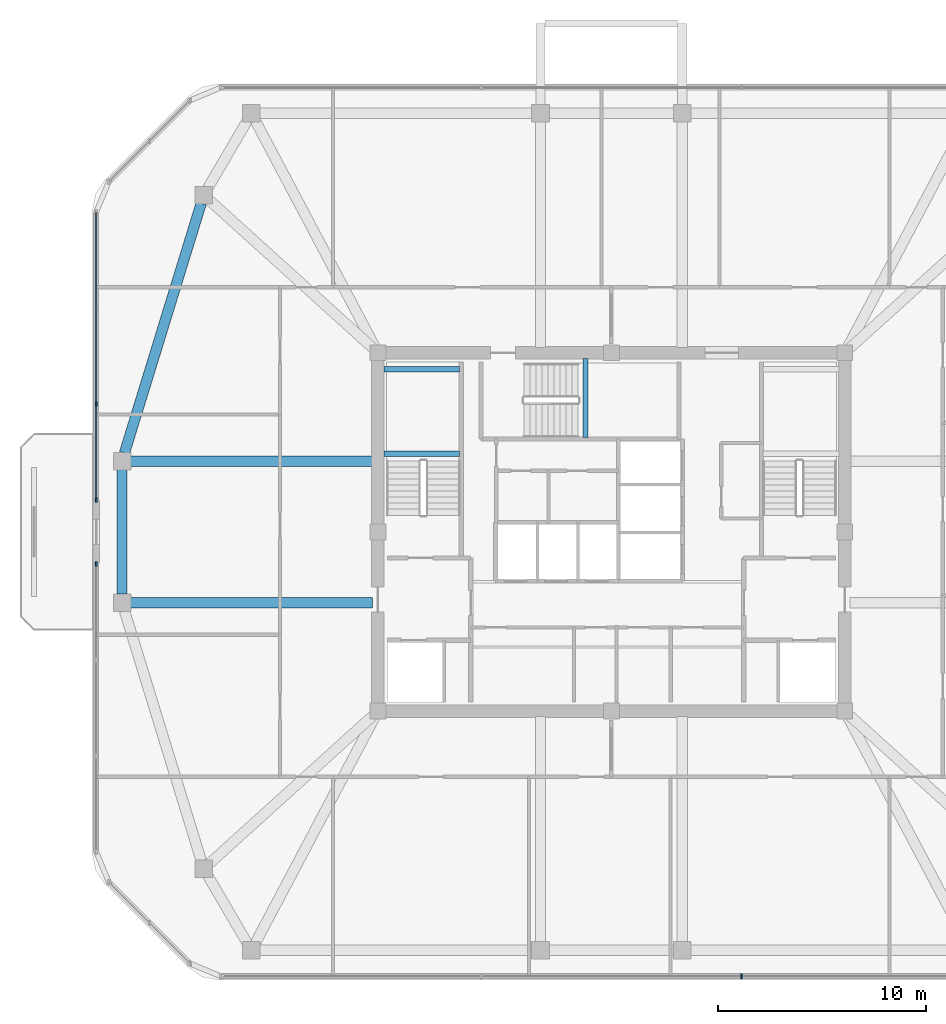
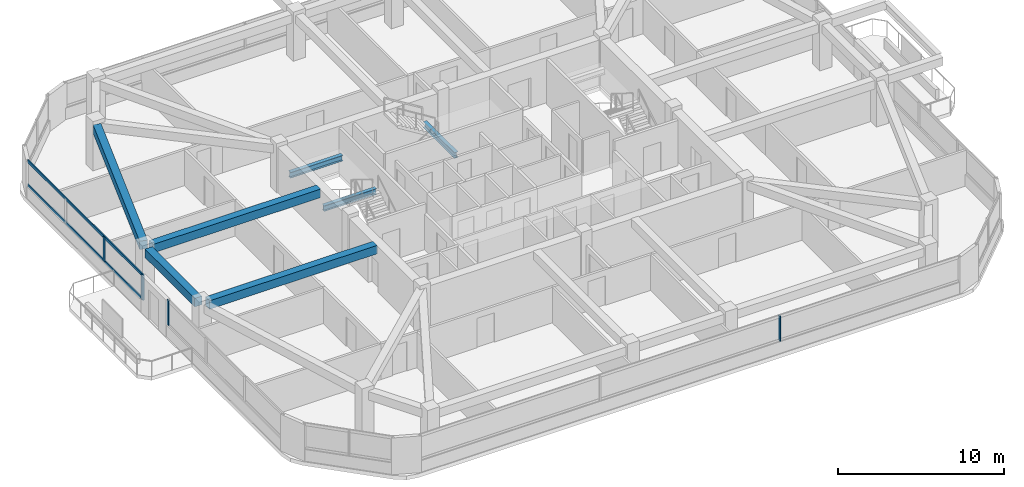
# One storey, part 4 of 14: 7 beams, 6 members, 3 elements without a shape of their own.
"""IFC4 building model written with IfcOpenShell, lengths in metres."""

from ifc_helpers import new_model, si_unit, derived_unit, direction, frame, origin, origin_2d, place, context, subcontext, project, spatial, rectangle, i_section, extrude, material, material_profile, profile_set, type_object, element, aggregate, save


model = new_model("IFC4")

# Units and contexts
model_context = context("Model", 3, precision=1e-05, world=origin(), true_north=direction((0.0, 1.0)))
body_context = subcontext(model_context, "Body", "Model", "MODEL_VIEW")
ifc_project = project(units=[si_unit("LENGTHUNIT", "METRE"), si_unit("AREAUNIT", "SQUARE_METRE"), si_unit("VOLUMEUNIT", "CUBIC_METRE"), si_unit("PLANEANGLEUNIT", "RADIAN"), si_unit("MASSUNIT", "GRAM", prefix="KILO"), derived_unit("THERMALTRANSMITTANCEUNIT", [(si_unit("POWERUNIT", "WATT"), 1), (si_unit("LENGTHUNIT", "METRE"), -2), (si_unit("THERMODYNAMICTEMPERATUREUNIT", "KELVIN"), -1)])], contexts=[model_context])

# Site, building, storey
site_placement = place(None, origin())
site = spatial("IfcSite", under=ifc_project, at=site_placement, CompositionType="ELEMENT")
building_placement = place(site_placement, origin())
building = spatial("IfcBuilding", under=site, at=building_placement, Name="Koralith Skygarden Medical Center", CompositionType="ELEMENT")
storey_placement = place(building_placement, frame((0.0, 0.0, 257.219970703125)))
storey = spatial("IfcBuildingStorey", under=building, at=storey_placement, Name="L66", CompositionType="ELEMENT", Elevation=257.219970703125)

# Curtain wall, member
ifc_material_1 = material(Name="Clear Laminated Glass", Category="glass")
curtain_wall_type = type_object("IfcCurtainWallType", Name="CW-6 Zone 5 Upper Clinical Curtain Wall", PredefinedType="NOTDEFINED", material=ifc_material_1)
curtain_wall_1_placement = place(storey_placement, origin())
curtain_wall_1 = element("IfcCurtainWall", 1, at=curtain_wall_1_placement, inside=storey, type_object=curtain_wall_type, Name="Curtain Wall CW-L66-S", PredefinedType="NOTDEFINED")
ifc_material_2 = material(Name="Aluminium 6063-T6", Category="aluminium")
ifc_material_profile_1 = material_profile(ifc_material_2, rectangle(XDim=0.0830078125, YDim=0.219970703125, at=origin_2d()), Name="MUL83X220")
ifc_profile_set_1 = profile_set([ifc_material_profile_1], Name="Aluminium 6063-T6")
member_type_1 = type_object("IfcMemberType", Name="CW-6 Extruded Mullion 83x220", PredefinedType="MULLION", material=ifc_profile_set_1)
member_1_placement = place(storey_placement, frame((43.248046875, 4.580078125, 0.85009765625), z_axis=(0.0, 0.0, 1.0), x_axis=(1.0, 0.0, 0.0)))
member_1 = element("IfcMember", 2, at=member_1_placement, type_object=member_type_1, Name="CW-L66-S Mullion 3", PredefinedType="MULLION", context=body_context, shape_type="SweptSolid", body=[
    extrude(rectangle(XDim=0.0830078125, YDim=0.219970703125, at=origin_2d()), origin(), (0.0, 0.0, 1.0), 1.83984375),
])
aggregate(curtain_wall_1, [member_1])

# Curtain wall, members
curtain_wall_2_placement = place(storey_placement, origin())
curtain_wall_2 = element("IfcCurtainWall", 3, at=curtain_wall_2_placement, inside=storey, type_object=curtain_wall_type, Name="Curtain Wall CW-L66-W-L", PredefinedType="NOTDEFINED")
member_2_placement = place(storey_placement, frame((12.280029296875, 32.0419921875, 0.85009765625), z_axis=(0.0, 0.0, 1.0), x_axis=(1.0, 0.0, 0.0)))
member_2 = element("IfcMember", 4, at=member_2_placement, type_object=member_type_1, Name="CW-L66-W-L Mullion 3", PredefinedType="MULLION", context=body_context, shape_type="SweptSolid", body=[
    extrude(rectangle(XDim=0.0830078125, YDim=0.219970703125, at=origin_2d()), origin(), (0.0, 0.0, 1.0), 1.83984375),
])
member_3_placement = place(storey_placement, frame((12.280029296875, 27.43994140625, 0.85009765625), z_axis=(0.0, 0.0, 1.0), x_axis=(1.0, 0.0, 0.0)))
member_3 = element("IfcMember", 5, at=member_3_placement, type_object=member_type_1, Name="CW-L66-W-L Mullion 4", PredefinedType="MULLION", context=body_context, shape_type="SweptSolid", body=[
    extrude(rectangle(XDim=0.0830078125, YDim=0.219970703125, at=origin_2d()), origin(), (0.0, 0.0, 1.0), 1.83984375),
])

# Curtain wall, member
curtain_wall_3_placement = place(storey_placement, origin())
curtain_wall_3 = element("IfcCurtainWall", 6, at=curtain_wall_3_placement, inside=storey, type_object=curtain_wall_type, Name="Curtain Wall CW-L66-W-R", PredefinedType="NOTDEFINED")
member_4_placement = place(storey_placement, frame((12.280029296875, 24.360107421875, 0.85009765625), z_axis=(0.0, 0.0, 1.0), x_axis=(1.0, 0.0, 0.0)))
member_4 = element("IfcMember", 7, at=member_4_placement, type_object=member_type_1, Name="CW-L66-W-R Mullion 1", PredefinedType="MULLION", context=body_context, shape_type="SweptSolid", body=[
    extrude(rectangle(XDim=0.0830078125, YDim=0.219970703125, at=origin_2d()), origin(), (0.0, 0.0, 1.0), 1.83984375),
])
aggregate(curtain_wall_3, [member_4])

# Member
ifc_material_profile_2 = material_profile(ifc_material_2, rectangle(XDim=0.077880859375, YDim=0.197998046875, at=origin_2d()), Name="TRN78X198")
ifc_profile_set_2 = profile_set([ifc_material_profile_2], Name="Aluminium 6063-T6")
member_type_2 = type_object("IfcMemberType", Name="CW-6 Thermal Transom 78x198", PredefinedType="USERDEFINED", material=ifc_profile_set_2)
member_5_placement = place(storey_placement, frame((12.280029296875, 41.2451171875, 0.900146484375), z_axis=(0.0, -1.0, 0.0), x_axis=(1.0, 0.0, 0.0)))
member_5 = element("IfcMember", 8, at=member_5_placement, type_object=member_type_2, Name="CW-L66-W-L Transom 1", ObjectType="TRANSOM", PredefinedType="USERDEFINED", context=body_context, shape_type="SweptSolid", body=[
    extrude(rectangle(XDim=0.077880859375, YDim=0.197998046875, at=origin_2d()), origin(), (0.0, 0.0, 1.0), 13.80517578125),
])

member_6_placement = place(storey_placement, frame((12.280029296875, 41.2451171875, 2.64013671875), z_axis=(0.0, -1.0, 0.0), x_axis=(1.0, 0.0, 0.0)))
member_6 = element("IfcMember", 9, at=member_6_placement, type_object=member_type_2, Name="CW-L66-W-L Transom 2", ObjectType="TRANSOM", PredefinedType="USERDEFINED", context=body_context, shape_type="SweptSolid", body=[
    extrude(rectangle(XDim=0.077880859375, YDim=0.197998046875, at=origin_2d()), origin(), (0.0, 0.0, 1.0), 13.80517578125),
])

aggregate(curtain_wall_2, [member_2, member_3, member_5, member_6])

# Beams
ifc_material_3 = material(Name="Steel ASTM A992 Grade 50", Category="steel")
ifc_material_profile_3 = material_profile(ifc_material_3, i_section(OverallWidth=0.260009765625, OverallDepth=0.4150390625, WebThickness=0.010009765625, FlangeThickness=0.016845703125, at=origin_2d()), Name="W16X67")
ifc_profile_set_3 = profile_set([ifc_material_profile_3], Name="Steel ASTM A992 Grade 50")
beam_type_1 = type_object("IfcBeamType", Name="Clinical Floor Joist W16X67", PredefinedType="JOIST", material=ifc_profile_set_3)
for number, where, z_axis, x_axis, name in (
    (10, (26.080078125, 29.659912109375, 1.39306640625), (1.0, 0.0, 0.0), (0.0, 1.0, 0.0), "L66 Stair ST1 Half-Landing Support Beam 1A"),
    (11, (26.080078125, 33.699951171875, 1.39306640625), (1.0, 0.0, 0.0), (0.0, 1.0, 0.0), "L66 Stair ST1 Half-Landing Support Beam 1B"),
):
    element("IfcBeam", number, at=place(storey_placement, frame(where, z_axis=z_axis, x_axis=x_axis)), inside=storey, type_object=beam_type_1, Name=name, PredefinedType="JOIST", context=body_context, shape_type="SweptSolid", body=[
        extrude(i_section(OverallWidth=0.260009765625, OverallDepth=0.4150390625, WebThickness=0.010009765625, FlangeThickness=0.016845703125, at=origin_2d()), origin(), (0.0, 0.0, 1.0), 3.639892578125),
    ])
beam_1_placement = place(storey_placement, frame((35.760009765625, 30.43994140625, 1.39306640625), z_axis=(0.0, 1.0, 0.0), x_axis=(-1.0, 0.0, 0.0)))
element("IfcBeam", 12, at=beam_1_placement, inside=storey, type_object=beam_type_1, Name="L66 Stair ST3 Half-Landing Support Beam 1A", PredefinedType="JOIST", context=body_context, shape_type="SweptSolid", body=[
    extrude(i_section(OverallWidth=0.260009765625, OverallDepth=0.4150390625, WebThickness=0.010009765625, FlangeThickness=0.016845703125, at=origin_2d()), origin(), (0.0, 0.0, 1.0), 3.780029296875),
])
ifc_material_4 = material(Name="Concrete C45/55", Category="concrete")
ifc_material_profile_4 = material_profile(ifc_material_4, rectangle(XDim=0.5, YDim=0.6201171875, at=origin_2d()), Name="RCB500X620")
ifc_profile_set_4 = profile_set([ifc_material_profile_4], Name="Concrete C45/55")
beam_type_2 = type_object("IfcBeamType", Name="Upper Radial Collector Beam RCB500X620", PredefinedType="BEAM", material=ifc_profile_set_4)
for number, where, z_axis, x_axis, name in (
    (13, (25.550048828125, 22.5, 3.010009765625), (-1.0, 0.0, 0.0), (0.0, -1.0, 0.0), "L66 Radial Collector Beam RB-01"),
    (14, (25.550048828125, 29.300048828125, 3.010009765625), (-1.0, 0.0, 0.0), (0.0, -1.0, 0.0), "L66 Radial Collector Beam RB-16"),
):
    element("IfcBeam", number, at=place(storey_placement, frame(where, z_axis=z_axis, x_axis=x_axis)), inside=storey, type_object=beam_type_2, Name=name, PredefinedType="BEAM", context=body_context, shape_type="SweptSolid", body=[
        extrude(rectangle(XDim=0.5, YDim=0.6201171875, at=origin_2d()), origin(), (0.0, 0.0, 1.0), 11.6201171875),
    ])
ifc_material_profile_5 = material_profile(ifc_material_4, rectangle(XDim=0.5, YDim=0.6201171875, at=origin_2d()), Name="RCB500X620")
ifc_profile_set_5 = profile_set([ifc_material_profile_5], Name="Concrete C45/55")
beam_type_3 = type_object("IfcBeamType", Name="Zone 4-5 Spandrel Beam RCB500X620", PredefinedType="SPANDREL", material=ifc_profile_set_5)
beam_2_placement = place(storey_placement, frame((17.320068359375, 41.66796875, 3.010009765625), z_axis=(-0.293738023424, -0.955885962652, 0.0), x_axis=(0.955885962652, -0.293738023424, 0.0)))
element("IfcBeam", 15, at=beam_2_placement, inside=storey, type_object=beam_type_3, Name="L66 Perimeter Spandrel Beam SP-15", PredefinedType="SPANDREL", context=body_context, shape_type="SweptSolid", body=[
    extrude(rectangle(XDim=0.5, YDim=0.6201171875, at=origin_2d()), origin(), (0.0, 0.0, 1.0), 12.52880859375),
])
beam_3_placement = place(storey_placement, frame((13.52001953125, 28.889892578125, 3.010009765625), z_axis=(0.0, -1.0, 0.0), x_axis=(1.0, 0.0, 0.0)))
element("IfcBeam", 16, at=beam_3_placement, inside=storey, type_object=beam_type_3, Name="L66 Perimeter Spandrel Beam SP-16", PredefinedType="SPANDREL", context=body_context, shape_type="SweptSolid", body=[
    extrude(rectangle(XDim=0.5, YDim=0.6201171875, at=origin_2d()), origin(), (0.0, 0.0, 1.0), 5.97998046875),
])

save(model, "model.ifc")
